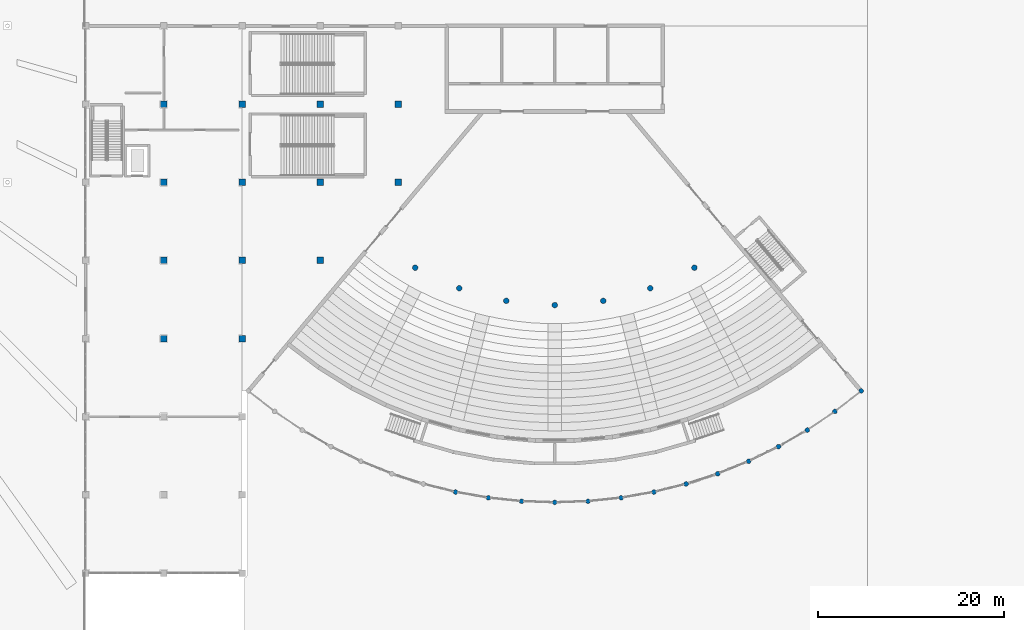
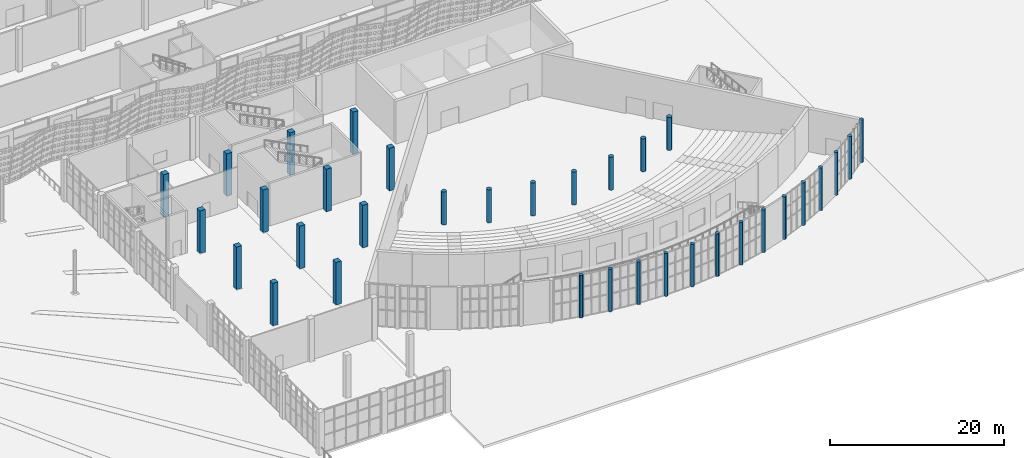
# One storey, part 15 of 210: 34 columns.
"""IFC4 building model written with IfcOpenShell, lengths in metres."""

import ifcopenshell
import ifcopenshell.guid

model = None  # the IFC model being written
_history = None  # IfcOwnerHistory: only IFC2X3 demands one
_inside = {}  # id of a spatial element -> (the spatial element, [elements in it])
_under = {}  # id of a project, library or spatial element -> (it, [spatial elements below it])
_declared = {}  # id of a project -> (the project, [libraries it declares])
_typed = {}  # id of a type object -> (the type object, [elements of that type])
_made_of = {}  # id of a material, layer set ... -> (it, [elements and type objects made of it])


def new_model(schema):
    """Start an empty IFC model of exactly this schema.

    Asked for "IFC4X3", IfcOpenShell would pick the latest addendum, in which some entities
    have other attributes; the version numbers below select the first issue.
    IFC2X3 requires an IfcOwnerHistory on every rooted entity: one is made here for all.
    """
    global model, _history
    if schema == "IFC4X3":
        model = ifcopenshell.file(schema_version=(4, 3, 0, 0))
    else:
        model = ifcopenshell.file(schema=schema)
    _inside.clear()
    _under.clear()
    _declared.clear()
    _typed.clear()
    _made_of.clear()
    _history = None
    if model.schema == "IFC2X3":
        org = make("IfcOrganization", Name="unknown")
        user = make(
            "IfcPersonAndOrganization",
            ThePerson=make("IfcPerson", FamilyName="unknown"),
            TheOrganization=org,
        )
        app = make(
            "IfcApplication",
            ApplicationDeveloper=org,
            Version="unknown",
            ApplicationFullName="unknown",
            ApplicationIdentifier="unknown",
        )
        _history = make(
            "IfcOwnerHistory",
            OwningUser=user,
            OwningApplication=app,
            ChangeAction="ADDED",
            CreationDate=0,
        )
    return model


def make(cls, **values):
    """One entity of the class cls with the attributes given. An attribute that is None is left unset."""
    return model.create_entity(
        cls, **{name: value for name, value in values.items() if value is not None}
    )


def rooted(cls, **values):
    """An entity with a GlobalId (a new one), such as an element, a storey or a relation."""
    return make(cls, GlobalId=ifcopenshell.guid.new(), OwnerHistory=_history, **values)


def si_unit(unit_type, name, prefix=None):
    """IfcSIUnit, for example si_unit("LENGTHUNIT", "METRE", prefix="MILLI")."""
    return make("IfcSIUnit", UnitType=unit_type, Prefix=prefix, Name=name)


def assignment(units):
    """IfcUnitAssignment: the units of a project."""
    return None if units is None else make("IfcUnitAssignment", Units=units)


def point(xyz):
    """IfcCartesianPoint."""
    return None if xyz is None else make("IfcCartesianPoint", Coordinates=xyz)


def direction(xyz):
    """IfcDirection."""
    return None if xyz is None else make("IfcDirection", DirectionRatios=xyz)


def frame(location, z_axis=None, x_axis=None):
    """IfcAxis2Placement3D, a coordinate frame: its origin and axes. An axis left out is left unset."""
    return make(
        "IfcAxis2Placement3D",
        Location=point(location),
        Axis=direction(z_axis),
        RefDirection=direction(x_axis),
    )


def frame_2d(location, x_axis=None):
    """IfcAxis2Placement2D, a coordinate frame in the plane: its origin and x axis."""
    return make(
        "IfcAxis2Placement2D", Location=point(location), RefDirection=direction(x_axis)
    )


def origin():
    """The frame at (0, 0, 0) with its axes left unset."""
    return frame((0.0, 0.0, 0.0))


def origin_2d():
    """The frame at (0, 0) in the plane with its x axis left unset."""
    return frame_2d((0.0, 0.0))


def place(relative_to, where):
    """IfcLocalPlacement: puts the frame where relative to a parent placement (None: the world)."""
    return make(
        "IfcLocalPlacement", PlacementRelTo=relative_to, RelativePlacement=where
    )


def context(
    kind, dimensions, precision=None, world=None, true_north=None, identifier=None
):
    """IfcGeometricRepresentationContext, for example the 3D "Model" context."""
    return make(
        "IfcGeometricRepresentationContext",
        ContextIdentifier=identifier,
        ContextType=kind,
        CoordinateSpaceDimension=dimensions,
        Precision=precision,
        WorldCoordinateSystem=world,
        TrueNorth=true_north,
    )


def subcontext(parent, identifier, kind, view, scale=None):
    """IfcGeometricRepresentationSubContext, for example "Body" below "Model"."""
    return make(
        "IfcGeometricRepresentationSubContext",
        ContextIdentifier=identifier,
        ContextType=kind,
        ParentContext=parent,
        TargetScale=scale,
        TargetView=view,
    )


def project(units=None, contexts=None):
    """IfcProject with its units and contexts."""
    return rooted(
        "IfcProject",
        Name="project",
        RepresentationContexts=contexts,
        UnitsInContext=assignment(units),
    )


def spatial(cls, under=None, at=None, **own):
    """A site, building, storey or space (cls), placed at a placement, below another one or the project."""
    s = rooted(cls, ObjectPlacement=at, **own)
    if under is not None:
        _under.setdefault(under.id(), (under, []))[1].append(s)
    return s


def profile(cls, at=None, kind="AREA", **sizes):
    """A parametric profile (cls). Its sizes go by their IFC names, for example OverallWidth=200.0."""
    return make(cls, ProfileType=kind, Position=at, **sizes)


def rectangle(**sizes):
    """IfcRectangleProfileDef."""
    return profile("IfcRectangleProfileDef", **sizes)


def circle(**sizes):
    """IfcCircleProfileDef."""
    return profile("IfcCircleProfileDef", **sizes)


def extrude(swept, where, along, depth):
    """IfcExtrudedAreaSolid: the profile swept, set in the frame where, extruded along a direction by depth."""
    return make(
        "IfcExtrudedAreaSolid",
        SweptArea=swept,
        Position=where,
        ExtrudedDirection=direction(along),
        Depth=depth,
    )


def shape(context_of_items, identifier, shape_type, items):
    """IfcShapeRepresentation: the items that make up one representation, for example the "Body"."""
    return make(
        "IfcShapeRepresentation",
        ContextOfItems=context_of_items,
        RepresentationIdentifier=identifier,
        RepresentationType=shape_type,
        Items=items,
    )


def material(Name=None, Category=None):
    """IfcMaterial."""
    return make("IfcMaterial", Name=Name, Category=Category)


def material_profile(
    of_material, cross_section, Name=None, Category=None, Priority=None
):
    """IfcMaterialProfile: a cross section and its material."""
    return make(
        "IfcMaterialProfile",
        Name=Name,
        Material=of_material,
        Profile=cross_section,
        Priority=Priority,
        Category=Category,
    )


def profile_set(profiles, Name=None, composite=None):
    """IfcMaterialProfileSet."""
    return make(
        "IfcMaterialProfileSet",
        Name=Name,
        MaterialProfiles=profiles,
        CompositeProfile=composite,
    )


def made_of(thing, what):
    """Note that an element or type object is made of a material, layer set ...; save() writes the relation."""
    if what is not None:
        _made_of.setdefault(what.id(), (what, []))[1].append(thing)
    return thing


def type_object(cls, material=None, **own):
    """A type object (cls), such as IfcWallType, which elements share."""
    return made_of(rooted(cls, **own), material)


def element(
    cls,
    number,
    at=None,
    inside=None,
    cuts=None,
    type_object=None,
    material=None,
    context=None,
    identifier="Body",
    shape_type=None,
    held_by="IfcProductDefinitionShape",
    body=None,
    shapes=None,
    **own,
):
    """One element of the class cls, such as IfcWall. Its Tag is "e" and its number.

    at: its placement. inside: the storey or other place that contains it. cuts: it is an
    opening in that element (IfcRelVoidsElement). A single representation is given by context,
    identifier, shape_type and body (its items); several are given by shapes. held_by: the class
    of the entity that holds the representations. save() writes the other relations.
    """
    e = rooted(cls, Tag="e%d" % number, ObjectPlacement=at, **own)
    if body is not None:
        shapes = [shape(context, identifier, shape_type, body)]
    if shapes is not None:
        e.Representation = make(held_by, Representations=shapes)
    if inside is not None:
        _inside.setdefault(inside.id(), (inside, []))[1].append(e)
    if cuts is not None:
        rooted(
            "IfcRelVoidsElement", RelatingBuildingElement=cuts, RelatedOpeningElement=e
        )
    if type_object is not None:
        _typed.setdefault(type_object.id(), (type_object, []))[1].append(e)
    return made_of(e, material)


def aggregate(whole, parts):
    """IfcRelAggregates: a whole, such as a stair, and the parts it consists of."""
    return rooted("IfcRelAggregates", RelatingObject=whole, RelatedObjects=parts)


def save(model, path):
    """Write the relations noted so far, then the file.

    IfcRelAggregates (storeys below a building ...), IfcRelContainedInSpatialStructure (elements
    in a storey), IfcRelDefinesByType, IfcRelAssociatesMaterial and IfcRelDeclares: one each for
    every whole, place, type object, material and project.
    """
    for whole, parts in _under.values():
        aggregate(whole, parts)
    for where, things in _inside.values():
        rooted(
            "IfcRelContainedInSpatialStructure",
            RelatedElements=things,
            RelatingStructure=where,
        )
    for kind, things in _typed.values():
        rooted("IfcRelDefinesByType", RelatedObjects=things, RelatingType=kind)
    for what, things in _made_of.values():
        rooted("IfcRelAssociatesMaterial", RelatedObjects=things, RelatingMaterial=what)
    for by, libraries in _declared.values():
        rooted("IfcRelDeclares", RelatingContext=by, RelatedDefinitions=libraries)
    model.write(path)


model = new_model("IFC4")

# Units and contexts
model_context = context("Model", 3, precision=1e-05, world=origin(), true_north=direction((0.0, 1.0)))
body_context = subcontext(model_context, "Body", "Model", "MODEL_VIEW")
ifc_project = project(units=[si_unit("LENGTHUNIT", "METRE"), si_unit("AREAUNIT", "SQUARE_METRE"), si_unit("VOLUMEUNIT", "CUBIC_METRE"), si_unit("PLANEANGLEUNIT", "RADIAN"), si_unit("MASSUNIT", "GRAM", prefix="KILO")], contexts=[model_context])

# Site, building, storey
site_placement = place(None, origin())
site = spatial("IfcSite", under=ifc_project, at=site_placement, CompositionType="ELEMENT")
building_placement = place(site_placement, origin())
building = spatial("IfcBuilding", under=site, at=building_placement, Name="Rain Tree Exposition and Congress Centre", CompositionType="ELEMENT")
storey_placement = place(building_placement, origin())
storey = spatial("IfcBuildingStorey", under=building, at=storey_placement, Name="L00", CompositionType="ELEMENT", Elevation=0.0)

# Columns
ifc_material_1 = material(Name="Precast concrete C50/60", Category="concrete")
ifc_material_profile_1 = material_profile(ifc_material_1, rectangle(XDim=0.699951171875, YDim=0.699951171875, at=origin_2d()), Name="RC 700x700")
ifc_profile_set_1 = profile_set([ifc_material_profile_1], Name="Precast concrete C50/60")
column_type_1 = type_object("IfcColumnType", Name="Precast column 700x700", PredefinedType="COLUMN", material=ifc_profile_set_1)
for number, where, z_axis, x_axis, name in (
    (1, (159.60009765625, 33.60009765625, 0.0), (0.0, 0.0, 1.0), (1.0, 0.0, 0.0), "CF159.6-33.6"),
    (2, (159.60009765625, 42.0, 0.0), (0.0, 0.0, 1.0), (1.0, 0.0, 0.0), "CF159.6-42"),
    (3, (159.60009765625, 50.39990234375, 0.0), (0.0, 0.0, 1.0), (1.0, 0.0, 0.0), "CF159.6-50.4"),
    (4, (159.60009765625, 58.800048828125, 0.0), (0.0, 0.0, 1.0), (1.0, 0.0, 0.0), "CF159.6-58.8"),
    (5, (168.0, 33.60009765625, 0.0), (0.0, 0.0, 1.0), (1.0, 0.0, 0.0), "CF168-33.6"),
    (6, (168.0, 42.0, 0.0), (0.0, 0.0, 1.0), (1.0, 0.0, 0.0), "CF168-42"),
    (7, (168.0, 50.39990234375, 0.0), (0.0, 0.0, 1.0), (1.0, 0.0, 0.0), "CF168-50.4"),
    (8, (168.0, 58.800048828125, 0.0), (0.0, 0.0, 1.0), (1.0, 0.0, 0.0), "CF168-58.8"),
    (9, (176.39990234375, 42.0, 0.0), (0.0, 0.0, 1.0), (1.0, 0.0, 0.0), "CF176.4-42"),
    (10, (176.39990234375, 50.39990234375, 0.0), (0.0, 0.0, 1.0), (1.0, 0.0, 0.0), "CF176.4-50.4"),
    (11, (184.800048828125, 50.39990234375, 0.0), (0.0, 0.0, 1.0), (1.0, 0.0, 0.0), "CF184.8-50.4"),
    (12, (176.39990234375, 58.800048828125, 0.0), (0.0, 0.0, 1.0), (1.0, 0.0, 0.0), "CF176.4-58.8"),
    (13, (184.800048828125, 58.800048828125, 0.0), (0.0, 0.0, 1.0), (1.0, 0.0, 0.0), "CF184.8-58.8"),
):
    element("IfcColumn", number, at=place(storey_placement, frame(where, z_axis=z_axis, x_axis=x_axis)), inside=storey, type_object=column_type_1, Name=name, PredefinedType="COLUMN", context=body_context, shape_type="SweptSolid", body=[
        extrude(rectangle(XDim=0.699951171875, YDim=0.699951171875, at=origin_2d()), origin(), (0.0, 0.0, 1.0), 6.0),
    ])
ifc_material_2 = material(Name="Precast concrete C50/60", Category="concrete")
ifc_material_profile_2 = material_profile(ifc_material_2, circle(Radius=0.25, at=origin_2d()), Name="RC D500")
ifc_profile_set_2 = profile_set([ifc_material_profile_2], Name="Precast concrete C50/60")
column_type_2 = type_object("IfcColumnType", Name="Precast round column 500", PredefinedType="COLUMN", material=ifc_profile_set_2)
for number, where, z_axis, x_axis, name in (
    (14, (190.954833984375, 17.118896484375, 0.0), (0.0, 0.0, 1.0), (1.0, 0.0, 0.0), "CA8"),
    (15, (194.474365234375, 16.498291015625, 0.0), (0.0, 0.0, 1.0), (1.0, 0.0, 0.0), "CA9"),
    (16, (198.028564453125, 16.124755859375, 0.0), (0.0, 0.0, 1.0), (1.0, 0.0, 0.0), "CA10"),
    (17, (201.60009765625, 16.0, 0.0), (0.0, 0.0, 1.0), (1.0, 0.0, 0.0), "CA11"),
    (18, (205.17138671875, 16.124755859375, 0.0), (0.0, 0.0, 1.0), (1.0, 0.0, 0.0), "CA12"),
    (19, (208.7255859375, 16.498291015625, 0.0), (0.0, 0.0, 1.0), (1.0, 0.0, 0.0), "CA13"),
    (20, (212.2451171875, 17.118896484375, 0.0), (0.0, 0.0, 1.0), (1.0, 0.0, 0.0), "CA14"),
    (21, (215.712646484375, 17.9833984375, 0.0), (0.0, 0.0, 1.0), (1.0, 0.0, 0.0), "CA15"),
    (22, (219.111328125, 19.087646484375, 0.0), (0.0, 0.0, 1.0), (1.0, 0.0, 0.0), "CA16"),
    (23, (222.4248046875, 20.426513671875, 0.0), (0.0, 0.0, 1.0), (1.0, 0.0, 0.0), "CA17"),
    (24, (225.636962890625, 21.9931640625, 0.0), (0.0, 0.0, 1.0), (1.0, 0.0, 0.0), "CA18"),
    (25, (228.73193359375, 23.77978515625, 0.0), (0.0, 0.0, 1.0), (1.0, 0.0, 0.0), "CA19"),
    (26, (231.694580078125, 25.7783203125, 0.0), (0.0, 0.0, 1.0), (1.0, 0.0, 0.0), "CA20"),
    (27, (234.5107421875, 27.978515625, 0.0), (0.0, 0.0, 1.0), (1.0, 0.0, 0.0), "CA21"),
):
    element("IfcColumn", number, at=place(storey_placement, frame(where, z_axis=z_axis, x_axis=x_axis)), inside=storey, type_object=column_type_2, Name=name, PredefinedType="COLUMN", context=body_context, shape_type="SweptSolid", body=[
        extrude(circle(Radius=0.25, at=origin_2d()), origin(), (0.0, 0.0, 1.0), 6.0),
    ])
ifc_material_3 = material(Name="Precast concrete C50/60", Category="concrete")
ifc_material_profile_3 = material_profile(ifc_material_3, circle(Radius=0.300048828125, at=origin_2d()), Name="RC D600")
ifc_profile_set_3 = profile_set([ifc_material_profile_3], Name="Precast concrete C50/60")
column_type_3 = type_object("IfcColumnType", Name="Precast round column 600", PredefinedType="COLUMN", material=ifc_profile_set_3)
for number, where, z_axis, x_axis, name in (
    (28, (186.60009765625, 41.21923828125, 0.0), (0.0, 0.0, 1.0), (1.0, 0.0, 0.0), "CB1"),
    (29, (191.33935546875, 39.00927734375, 0.0), (0.0, 0.0, 1.0), (1.0, 0.0, 0.0), "CB2"),
    (30, (196.390625, 37.65576171875, 0.0), (0.0, 0.0, 1.0), (1.0, 0.0, 0.0), "CB3"),
    (31, (201.60009765625, 37.199951171875, 0.0), (0.0, 0.0, 1.0), (1.0, 0.0, 0.0), "CB4"),
    (32, (206.809326171875, 37.65576171875, 0.0), (0.0, 0.0, 1.0), (1.0, 0.0, 0.0), "CB5"),
    (33, (211.860595703125, 39.00927734375, 0.0), (0.0, 0.0, 1.0), (1.0, 0.0, 0.0), "CB6"),
    (34, (216.60009765625, 41.21923828125, 0.0), (0.0, 0.0, 1.0), (1.0, 0.0, 0.0), "CB7"),
):
    element("IfcColumn", number, at=place(storey_placement, frame(where, z_axis=z_axis, x_axis=x_axis)), inside=storey, type_object=column_type_3, Name=name, PredefinedType="COLUMN", context=body_context, shape_type="SweptSolid", body=[
        extrude(circle(Radius=0.300048828125, at=origin_2d()), origin(), (0.0, 0.0, 1.0), 4.64990234375),
    ])

save(model, "model.ifc")
